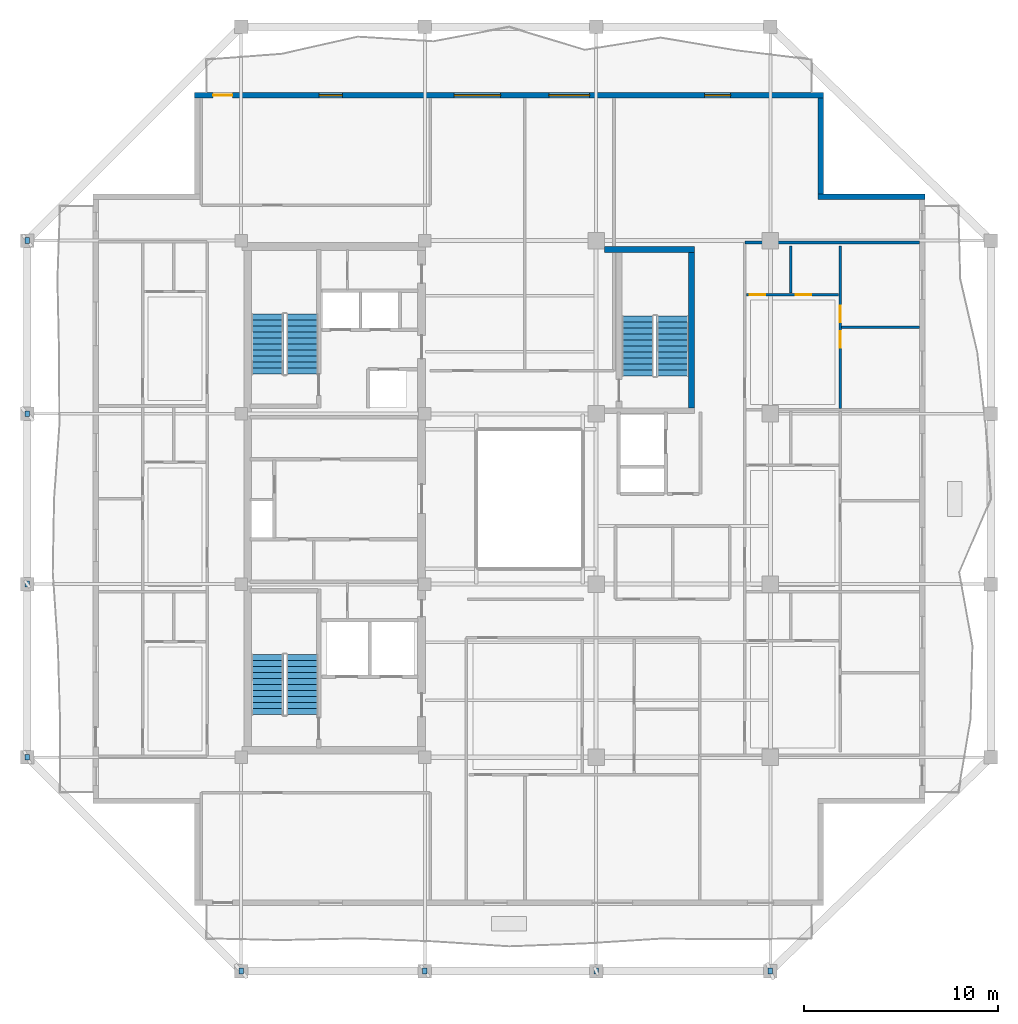
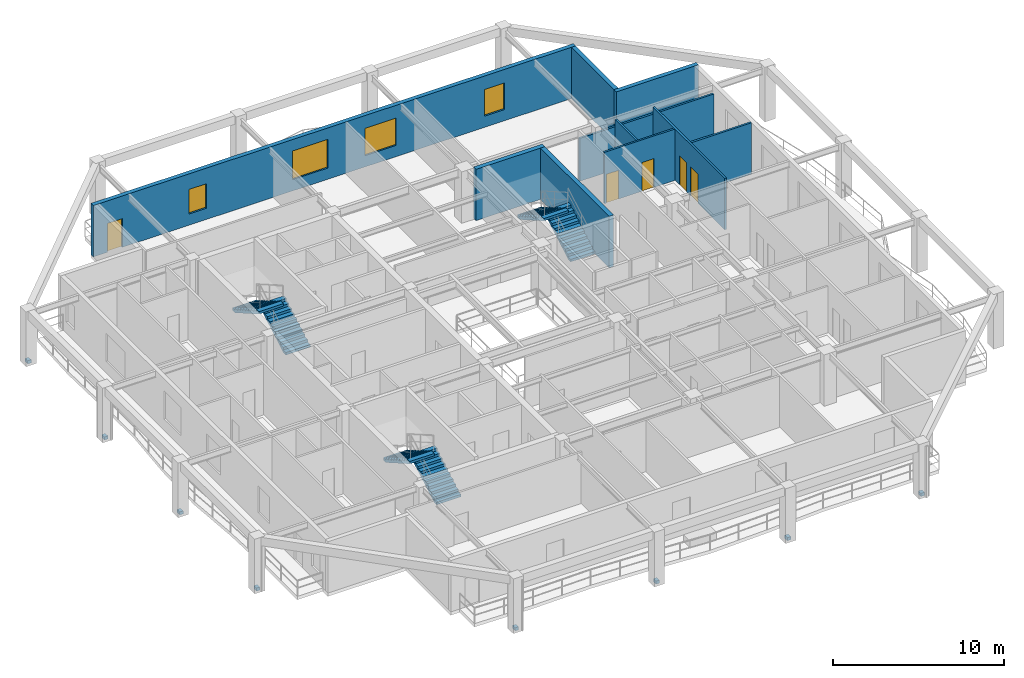
# One storey, part 7 of 13: 10 walls, 8 discrete accessories, 6 stair flights, 5 doors, 4 windows, 9 openings, 3 elements without a shape of their own.
"""IFC4 building model written with IfcOpenShell, lengths in metres."""

from ifc_helpers import new_model, si_unit, direction, frame, frame_2d, origin, origin_2d, place, context, subcontext, project, spatial, polyline, rectangle, outline, extrude, material, layer, layer_set, type_object, element, fill, aggregate, save


model = new_model("IFC4")

# Units and contexts
model_context = context("Model", 3, precision=1e-05, world=origin(), true_north=direction((0.0, 1.0)))
body_context = subcontext(model_context, "Body", "Model", "MODEL_VIEW")
ifc_project = project(units=[si_unit("LENGTHUNIT", "METRE"), si_unit("AREAUNIT", "SQUARE_METRE"), si_unit("VOLUMEUNIT", "CUBIC_METRE"), si_unit("PLANEANGLEUNIT", "RADIAN"), si_unit("MASSUNIT", "GRAM", prefix="KILO")], contexts=[model_context])

# Site, building, storey
site_placement = place(None, origin())
site = spatial("IfcSite", under=ifc_project, at=site_placement, CompositionType="ELEMENT")
building_placement = place(site_placement, origin())
building = spatial("IfcBuilding", under=site, at=building_placement, Name="Kundavana Baori Tower", CompositionType="ELEMENT")
storey_placement = place(building_placement, frame((0.0, 0.0, 229.699951171875)))
storey = spatial("IfcBuildingStorey", under=building, at=storey_placement, Name="L56", CompositionType="ELEMENT", Elevation=229.699951171875)

# Walls
ifc_material_1 = material(Name="Red-Buff Dholpur Sandstone Cladding on Concrete C40/50", Category="masonry")
ifc_layer_1 = layer(ifc_material_1, 0.280029296875, Name="WL-EXT-SAND-280")
ifc_layer_set_1 = layer_set([ifc_layer_1], Name="Red-Buff Dholpur Sandstone Cladding on Concrete C40/50")
wall_type_1 = type_object("IfcWallType", Name="WL-EXT-SAND-280", PredefinedType="STANDARD", material=ifc_layer_set_1)
wall_1_placement = place(storey_placement, frame((50.800048828125, 44.2099609375, 0.0), z_axis=(0.0, 0.0, 1.0), x_axis=(-1.0, 0.0, 0.0)))
element("IfcWall", 1, at=wall_1_placement, inside=storey, type_object=wall_type_1, Name="L56 Exterior Insulated Facade Wall 05", PredefinedType="STANDARD", context=body_context, shape_type="SweptSolid", body=[
    extrude(rectangle(XDim=5.530029296875, YDim=0.280029296875, at=frame_2d((2.76513671875, 0.0))), origin(), (0.0, 0.0, 1.0), 3.66015625),
])
wall_2_placement = place(storey_placement, frame((45.409912109375, 44.35009765625, 0.0), z_axis=(0.0, 0.0, 1.0), x_axis=(0.0, 1.0, 0.0)))
element("IfcWall", 2, at=wall_2_placement, inside=storey, type_object=wall_type_1, Name="L56 Exterior Insulated Facade Wall 06", PredefinedType="STANDARD", context=body_context, shape_type="SweptSolid", body=[
    extrude(rectangle(XDim=4.969970703125, YDim=0.280029296875, at=frame_2d((2.48486328125, 0.0))), origin(), (0.0, 0.0, 1.0), 3.66015625),
])

# Wall, openings, door, windows
wall_3_placement = place(storey_placement, frame((45.550048828125, 49.4599609375, 0.0), z_axis=(0.0, 0.0, 1.0), x_axis=(-1.0, 0.0, 0.0)))
wall_3 = element("IfcWall", 3, at=wall_3_placement, inside=storey, type_object=wall_type_1, Name="L56 Exterior Insulated Facade Wall 07", PredefinedType="STANDARD", context=body_context, shape_type="SweptSolid", body=[
    extrude(rectangle(XDim=32.5, YDim=0.280029296875, at=frame_2d((16.25, 0.0))), origin(), (0.0, 0.0, 1.0), 3.66015625),
])
opening_1_placement = place(wall_3_placement, frame((30.550048828125, 0.0, 0.0)))
opening_1 = element("IfcOpeningElement", 4, at=opening_1_placement, cuts=wall_3, Name="Opening BD-1", PredefinedType="OPENING", context=body_context, shape_type="SweptSolid", body=[
    extrude(rectangle(XDim=1.0, YDim=2.050048828125, at=frame_2d((0.5, 1.02490234375))), frame((0.0, 0.14990234375, 0.0), z_axis=(0.0, -1.0, 0.0), x_axis=(1.0, 0.0, 0.0)), (0.0, 0.0, 1.0), 0.300048828125),
])
opening_2_placement = place(wall_3_placement, frame((24.864990234375, 0.0, 0.800048828125)))
opening_2 = element("IfcOpeningElement", 5, at=opening_2_placement, cuts=wall_3, Name="Opening W-03", PredefinedType="OPENING", context=body_context, shape_type="SweptSolid", body=[
    extrude(rectangle(XDim=1.199951171875, YDim=1.75, at=frame_2d((0.60009765625, 0.875))), frame((0.0, 0.14990234375, 0.0), z_axis=(0.0, -1.0, 0.0), x_axis=(1.0, 0.0, 0.0)), (0.0, 0.0, 1.0), 0.300048828125),
])
opening_3_placement = place(wall_3_placement, frame((16.68994140625, 0.0, 0.800048828125)))
opening_3 = element("IfcOpeningElement", 6, at=opening_3_placement, cuts=wall_3, Name="Opening W-04", PredefinedType="OPENING", context=body_context, shape_type="SweptSolid", body=[
    extrude(rectangle(XDim=2.39990234375, YDim=2.050048828125, at=frame_2d((1.199951171875, 1.02490234375))), frame((0.0, 0.14990234375, 0.0), z_axis=(0.0, -1.0, 0.0), x_axis=(1.0, 0.0, 0.0)), (0.0, 0.0, 1.0), 0.300048828125),
])
opening_4_placement = place(wall_3_placement, frame((12.090087890625, 0.0, 0.800048828125)))
opening_4 = element("IfcOpeningElement", 7, at=opening_4_placement, cuts=wall_3, Name="Opening W-05", PredefinedType="OPENING", context=body_context, shape_type="SweptSolid", body=[
    extrude(rectangle(XDim=2.10009765625, YDim=1.949951171875, at=frame_2d((1.050048828125, 0.97509765625))), frame((0.0, 0.14990234375, 0.0), z_axis=(0.0, -1.0, 0.0), x_axis=(1.0, 0.0, 0.0)), (0.0, 0.0, 1.0), 0.300048828125),
])
opening_5_placement = place(wall_3_placement, frame((4.794921875, 0.0, 0.800048828125)))
opening_5 = element("IfcOpeningElement", 8, at=opening_5_placement, cuts=wall_3, Name="Opening W-07", PredefinedType="OPENING", context=body_context, shape_type="SweptSolid", body=[
    extrude(rectangle(XDim=1.35009765625, YDim=1.89990234375, at=frame_2d((0.675048828125, 0.949951171875))), frame((0.0, 0.14990234375, 0.0), z_axis=(0.0, -1.0, 0.0), x_axis=(1.0, 0.0, 0.0)), (0.0, 0.0, 1.0), 0.300048828125),
])
ifc_material_2 = material(Name="Architectural Patinated Bronze Metalwork")
door_type_1 = type_object("IfcDoorType", Name="DR-EXT-LOG-1000", OperationType="NOTDEFINED", PredefinedType="DOOR", material=ifc_material_2)
door_1_placement = place(opening_1_placement, frame((1.0, 0.0, 0.0), z_axis=(0.0, 0.0, 1.0), x_axis=(-1.0, 0.0, 0.0)))
door_1 = element("IfcDoor", 9, at=door_1_placement, inside=storey, type_object=door_type_1, Name="L56 Loggia Balcony Access Door N", OperationType="SINGLE_SWING_LEFT", OverallHeight=2.050048828125, OverallWidth=1.0, PredefinedType="DOOR", context=body_context, shape_type="SweptSolid", body=[
    extrude(rectangle(XDim=1.0, YDim=2.050048828125, at=frame_2d((0.5, 1.02490234375))), frame((0.0, 0.02490234375, 0.0), z_axis=(0.0, -1.0, 0.0), x_axis=(1.0, 0.0, 0.0)), (0.0, 0.0, 1.0), 0.050048828125),
])
fill(opening_1, door_1)
ifc_material_3 = material(Name="Double-Glazed Solar-Control Low-E Insulated Glass", Category="glass")
window_type_1 = type_object("IfcWindowType", Name="WIN-LOG-1200x1750", PartitioningType="SINGLE_PANEL", PredefinedType="WINDOW", material=ifc_material_3)
window_1_placement = place(opening_2_placement, origin())
window_1 = element("IfcWindow", 10, at=window_1_placement, inside=storey, type_object=window_type_1, Name="L56 Recessed Loggia Window N-1", OverallHeight=1.75, OverallWidth=1.199951171875, PartitioningType="SINGLE_PANEL", PredefinedType="WINDOW", context=body_context, shape_type="SweptSolid", body=[
    extrude(rectangle(XDim=1.199951171875, YDim=1.75, at=frame_2d((0.60009765625, 0.875))), frame((0.0, 0.030029296875, 0.0), z_axis=(0.0, -1.0, 0.0), x_axis=(1.0, 0.0, 0.0)), (0.0, 0.0, 1.0), 0.06005859375),
])
fill(opening_2, window_1)
ifc_material_4 = material(Name="Double-Glazed Solar-Control Low-E Insulated Glass", Category="glass")
window_type_2 = type_object("IfcWindowType", Name="WIN-LOG-1350x1900", PartitioningType="SINGLE_PANEL", PredefinedType="WINDOW", material=ifc_material_4)
window_2_placement = place(opening_5_placement, origin())
window_2 = element("IfcWindow", 11, at=window_2_placement, inside=storey, type_object=window_type_2, Name="L56 Recessed Loggia Window N-4", OverallHeight=1.89990234375, OverallWidth=1.35009765625, PartitioningType="SINGLE_PANEL", PredefinedType="WINDOW", context=body_context, shape_type="SweptSolid", body=[
    extrude(rectangle(XDim=1.35009765625, YDim=1.89990234375, at=frame_2d((0.675048828125, 0.949951171875))), frame((0.0, 0.030029296875, 0.0), z_axis=(0.0, -1.0, 0.0), x_axis=(1.0, 0.0, 0.0)), (0.0, 0.0, 1.0), 0.06005859375),
])
fill(opening_5, window_2)
ifc_material_5 = material(Name="Double-Glazed Solar-Control Low-E Insulated Glass", Category="glass")
window_type_3 = type_object("IfcWindowType", Name="WIN-LOG-2100x1950", PartitioningType="SINGLE_PANEL", PredefinedType="WINDOW", material=ifc_material_5)
window_3_placement = place(opening_4_placement, origin())
window_3 = element("IfcWindow", 12, at=window_3_placement, inside=storey, type_object=window_type_3, Name="L56 Recessed Loggia Window N-3", OverallHeight=1.949951171875, OverallWidth=2.10009765625, PartitioningType="SINGLE_PANEL", PredefinedType="WINDOW", context=body_context, shape_type="SweptSolid", body=[
    extrude(rectangle(XDim=2.10009765625, YDim=1.949951171875, at=frame_2d((1.050048828125, 0.97509765625))), frame((0.0, 0.030029296875, 0.0), z_axis=(0.0, -1.0, 0.0), x_axis=(1.0, 0.0, 0.0)), (0.0, 0.0, 1.0), 0.06005859375),
])
fill(opening_4, window_3)
ifc_material_6 = material(Name="Double-Glazed Solar-Control Low-E Insulated Glass", Category="glass")
window_type_4 = type_object("IfcWindowType", Name="WIN-LOG-2400x2050", PartitioningType="SINGLE_PANEL", PredefinedType="WINDOW", material=ifc_material_6)
window_4_placement = place(opening_3_placement, origin())
window_4 = element("IfcWindow", 13, at=window_4_placement, inside=storey, type_object=window_type_4, Name="L56 Recessed Loggia Window N-2", OverallHeight=2.050048828125, OverallWidth=2.39990234375, PartitioningType="SINGLE_PANEL", PredefinedType="WINDOW", context=body_context, shape_type="SweptSolid", body=[
    extrude(rectangle(XDim=2.39990234375, YDim=2.050048828125, at=frame_2d((1.199951171875, 1.02490234375))), frame((0.0, 0.030029296875, 0.0), z_axis=(0.0, -1.0, 0.0), x_axis=(1.0, 0.0, 0.0)), (0.0, 0.0, 1.0), 0.06005859375),
])
fill(opening_3, window_4)

# Wall
ifc_material_7 = material(Name="Acoustic Gypsum Plasterboard on Galvanised Steel Studs", Category="steel")
ifc_layer_2 = layer(ifc_material_7, 0.135009765625, Name="WL-PART-135")
ifc_layer_set_2 = layer_set([ifc_layer_2], Name="Acoustic Gypsum Plasterboard on Galvanised Steel Studs")
wall_type_2 = type_object("IfcWallType", Name="WL-PART-135", PredefinedType="PARTITIONING", material=ifc_layer_set_2)
wall_4_placement = place(storey_placement, frame((41.47998046875, 41.85009765625, 0.0), z_axis=(0.0, 0.0, 1.0), x_axis=(1.0, 0.0, 0.0)))
element("IfcWall", 14, at=wall_4_placement, inside=storey, type_object=wall_type_2, Name="WL-L56-REN", PredefinedType="PARTITIONING", context=body_context, shape_type="SweptSolid", body=[
    extrude(rectangle(XDim=9.0400390625, YDim=0.135009765625, at=frame_2d((4.52001953125, 0.0))), origin(), (0.0, 0.0, 1.0), 3.06005859375),
])

# Wall, openings, doors
wall_5_placement = place(storey_placement, frame((46.407958984375, 33.280029296875, 0.0), z_axis=(0.0, 0.0, 1.0), x_axis=(0.0, 1.0, 0.0)))
wall_5 = element("IfcWall", 15, at=wall_5_placement, inside=storey, type_object=wall_type_2, Name="WL-L56-E3-VT", PredefinedType="PARTITIONING", context=body_context, shape_type="SweptSolid", body=[
    extrude(rectangle(XDim=8.389892578125, YDim=0.135009765625, at=frame_2d((4.19482421875, 0.0))), origin(), (0.0, 0.0, 1.0), 3.66015625),
])
opening_6_placement = place(wall_5_placement, frame((3.14501953125, 0.0, 0.0)))
opening_6 = element("IfcOpeningElement", 16, at=opening_6_placement, cuts=wall_5, Name="Opening ID-085", PredefinedType="OPENING", context=body_context, shape_type="SweptSolid", body=[
    extrude(rectangle(XDim=0.85009765625, YDim=2.080078125, at=frame_2d((0.425048828125, 1.0400390625))), frame((0.0, 0.07763671875, 0.0), z_axis=(0.0, -1.0, 0.0), x_axis=(1.0, 0.0, 0.0)), (0.0, 0.0, 1.0), 0.155029296875),
])
opening_7_placement = place(wall_5_placement, frame((4.445068359375, 0.0, 0.0)))
opening_7 = element("IfcOpeningElement", 17, at=opening_7_placement, cuts=wall_5, Name="Opening ID-085", PredefinedType="OPENING", context=body_context, shape_type="SweptSolid", body=[
    extrude(rectangle(XDim=0.85009765625, YDim=2.080078125, at=frame_2d((0.425048828125, 1.0400390625))), frame((0.0, 0.07763671875, 0.0), z_axis=(0.0, -1.0, 0.0), x_axis=(1.0, 0.0, 0.0)), (0.0, 0.0, 1.0), 0.155029296875),
])
ifc_material_8 = material(Name="Engineered Teak Solid-Core Timber Veneer", Category="wood")
door_type_2 = type_object("IfcDoorType", Name="DR-INT-850", OperationType="NOTDEFINED", PredefinedType="DOOR", material=ifc_material_8)
door_2_placement = place(opening_6_placement, origin())
door_2 = element("IfcDoor", 18, at=door_2_placement, inside=storey, type_object=door_type_2, Name="DR-L56-E3-B1", OperationType="SINGLE_SWING_LEFT", OverallHeight=2.080078125, OverallWidth=0.85009765625, PredefinedType="DOOR", context=body_context, shape_type="SweptSolid", body=[
    extrude(rectangle(XDim=0.85009765625, YDim=2.080078125, at=frame_2d((0.425048828125, 1.0400390625))), frame((0.0, 0.02490234375, 0.0), z_axis=(0.0, -1.0, 0.0), x_axis=(1.0, 0.0, 0.0)), (0.0, 0.0, 1.0), 0.050048828125),
])
fill(opening_6, door_2)
door_3_placement = place(opening_7_placement, origin())
door_3 = element("IfcDoor", 19, at=door_3_placement, inside=storey, type_object=door_type_2, Name="DR-L56-E3-B2", OperationType="SINGLE_SWING_RIGHT", OverallHeight=2.080078125, OverallWidth=0.85009765625, PredefinedType="DOOR", context=body_context, shape_type="SweptSolid", body=[
    extrude(rectangle(XDim=0.85009765625, YDim=2.080078125, at=frame_2d((0.425048828125, 1.0400390625))), frame((0.0, 0.02490234375, 0.0), z_axis=(0.0, -1.0, 0.0), x_axis=(1.0, 0.0, 0.0)), (0.0, 0.0, 1.0), 0.050048828125),
])
fill(opening_7, door_3)

# Walls
wall_6_placement = place(storey_placement, frame((46.488037109375, 37.47509765625, 0.0), z_axis=(0.0, 0.0, 1.0), x_axis=(1.0, 0.0, 0.0)))
element("IfcWall", 20, at=wall_6_placement, inside=storey, type_object=wall_type_2, Name="WL-L56-E3-BDH", PredefinedType="PARTITIONING", context=body_context, shape_type="SweptSolid", body=[
    extrude(rectangle(XDim=4.031982421875, YDim=0.135009765625, at=frame_2d((2.01611328125, 0.0))), origin(), (0.0, 0.0, 1.0), 3.66015625),
])
ifc_material_9 = material(Name="Concrete C50/60", Category="concrete")
ifc_layer_3 = layer(ifc_material_9, 0.300048828125, Name="WL-ST3-300")
ifc_layer_set_3 = layer_set([ifc_layer_3], Name="Concrete C50/60")
wall_type_3 = type_object("IfcWallType", Name="WL-ST3-300", PredefinedType="SHEAR", material=ifc_layer_set_3)
wall_7_placement = place(storey_placement, frame((34.22509765625, 41.489990234375, 0.0), z_axis=(0.0, 0.0, 1.0), x_axis=(1.0, 0.0, 0.0)))
element("IfcWall", 21, at=wall_7_placement, inside=storey, type_object=wall_type_3, Name="L56 Stair ST3 North Shear Wall", PredefinedType="SHEAR", context=body_context, shape_type="SweptSolid", body=[
    extrude(rectangle(XDim=4.64501953125, YDim=0.300048828125, at=frame_2d((2.322509765625, 0.0))), origin(), (0.0, 0.0, 1.0), 3.66015625),
])
wall_8_placement = place(storey_placement, frame((38.719970703125, 33.31005859375, 0.0), z_axis=(0.0, 0.0, 1.0), x_axis=(0.0, 1.0, 0.0)))
element("IfcWall", 22, at=wall_8_placement, inside=storey, type_object=wall_type_3, Name="L56 Stair ST3 East Shear Wall", PredefinedType="SHEAR", context=body_context, shape_type="SweptSolid", body=[
    extrude(rectangle(XDim=8.030029296875, YDim=0.300048828125, at=frame_2d((4.01513671875, 0.0))), origin(), (0.0, 0.0, 1.0), 3.66015625),
])

# Wall, openings, doors
ifc_material_10 = material(Name="Autoclaved Aerated Concrete Blockwork Masonry", Category="masonry")
ifc_layer_4 = layer(ifc_material_10, 0.125, Name="WL-WET-120")
ifc_layer_set_4 = layer_set([ifc_layer_4], Name="Autoclaved Aerated Concrete Blockwork Masonry")
wall_type_4 = type_object("IfcWallType", Name="WL-WET-120", PredefinedType="PLUMBINGWALL", material=ifc_layer_set_4)
wall_9_placement = place(storey_placement, frame((41.580078125, 39.153076171875, 0.0), z_axis=(0.0, 0.0, 1.0), x_axis=(1.0, 0.0, 0.0)))
wall_9 = element("IfcWall", 23, at=wall_9_placement, inside=storey, type_object=wall_type_4, Name="WL-L56-E3-KH", PredefinedType="PLUMBINGWALL", context=body_context, shape_type="SweptSolid", body=[
    extrude(rectangle(XDim=4.747802734375, YDim=0.125, at=frame_2d((2.3740234375, 0.0))), origin(), (0.0, 0.0, 1.0), 3.66015625),
])
opening_8_placement = place(wall_9_placement, frame((0.159912109375, 0.0, 0.0)))
opening_8 = element("IfcOpeningElement", 24, at=opening_8_placement, cuts=wall_9, Name="Opening WD-080", PredefinedType="OPENING", context=body_context, shape_type="SweptSolid", body=[
    extrude(rectangle(XDim=0.800048828125, YDim=2.050048828125, at=frame_2d((0.39990234375, 1.02490234375))), frame((0.0, 0.072509765625, 0.0), z_axis=(0.0, -1.0, 0.0), x_axis=(1.0, 0.0, 0.0)), (0.0, 0.0, 1.0), 0.14501953125),
])
opening_9_placement = place(wall_9_placement, frame((2.5390625, 0.0, 0.0)))
opening_9 = element("IfcOpeningElement", 25, at=opening_9_placement, cuts=wall_9, Name="Opening WD-080", PredefinedType="OPENING", context=body_context, shape_type="SweptSolid", body=[
    extrude(rectangle(XDim=0.800048828125, YDim=2.050048828125, at=frame_2d((0.39990234375, 1.02490234375))), frame((0.0, 0.072509765625, 0.0), z_axis=(0.0, -1.0, 0.0), x_axis=(1.0, 0.0, 0.0)), (0.0, 0.0, 1.0), 0.14501953125),
])
ifc_material_11 = material(Name="Engineered Teak Solid-Core Timber Veneer", Category="wood")
door_type_3 = type_object("IfcDoorType", Name="DR-WET-800", OperationType="NOTDEFINED", PredefinedType="DOOR", material=ifc_material_11)
door_4_placement = place(opening_8_placement, origin())
door_4 = element("IfcDoor", 26, at=door_4_placement, inside=storey, type_object=door_type_3, Name="DR-L56-E3-BT", OperationType="SINGLE_SWING_LEFT", OverallHeight=2.050048828125, OverallWidth=0.800048828125, PredefinedType="DOOR", context=body_context, shape_type="SweptSolid", body=[
    extrude(rectangle(XDim=0.800048828125, YDim=2.050048828125, at=frame_2d((0.39990234375, 1.02490234375))), frame((0.0, 0.02490234375, 0.0), z_axis=(0.0, -1.0, 0.0), x_axis=(1.0, 0.0, 0.0)), (0.0, 0.0, 1.0), 0.050048828125),
])
fill(opening_8, door_4)
door_5_placement = place(opening_9_placement, origin())
door_5 = element("IfcDoor", 27, at=door_5_placement, inside=storey, type_object=door_type_3, Name="DR-L56-E3-KT", OperationType="SINGLE_SWING_RIGHT", OverallHeight=2.050048828125, OverallWidth=0.800048828125, PredefinedType="DOOR", context=body_context, shape_type="SweptSolid", body=[
    extrude(rectangle(XDim=0.800048828125, YDim=2.050048828125, at=frame_2d((0.39990234375, 1.02490234375))), frame((0.0, 0.02490234375, 0.0), z_axis=(0.0, -1.0, 0.0), x_axis=(1.0, 0.0, 0.0)), (0.0, 0.0, 1.0), 0.050048828125),
])
fill(opening_9, door_5)

# Wall
wall_10_placement = place(storey_placement, frame((43.85888671875, 39.23291015625, 0.0), z_axis=(0.0, 0.0, 1.0), x_axis=(0.0, 1.0, 0.0)))
element("IfcWall", 28, at=wall_10_placement, inside=storey, type_object=wall_type_4, Name="WL-L56-E3-BV", PredefinedType="PLUMBINGWALL", context=body_context, shape_type="SweptSolid", body=[
    extrude(rectangle(XDim=2.43701171875, YDim=0.125, at=frame_2d((1.218505859375, 0.0))), origin(), (0.0, 0.0, 1.0), 3.66015625),
])

# Stair, stair flights
ifc_material_12 = material(Name="Concrete C40/50", Category="concrete")
stair_type = type_object("IfcStairType", Name="STR-DOG-1650", PredefinedType="HALF_TURN_STAIR", material=ifc_material_12)
stair_1_placement = place(storey_placement, origin())
stair_1 = element("IfcStair", 29, at=stair_1_placement, inside=storey, type_object=stair_type, Name="L56 Protected Exit Stair ST1", PredefinedType="HALF_TURN_STAIR")
ifc_material_13 = material(Name="Concrete C40/50", Category="concrete")
stair_flight_type = type_object("IfcStairFlightType", Name="SFL-RC-1650", PredefinedType="STRAIGHT", material=ifc_material_13)
stair_flight_1_placement = place(storey_placement, frame((18.614990234375, 17.449951171875, 0.0), z_axis=(0.0, 0.0, 1.0), x_axis=(0.0, 1.0, 0.0)))
stair_flight_1 = element("IfcStairFlight", 30, at=stair_flight_1_placement, type_object=stair_flight_type, Name="ST1 flight 1", NumberOfRisers=11, NumberOfTreads=10, PredefinedType="STRAIGHT", RiserHeight=0.177272727, TreadLength=0.31, context=body_context, shape_type="SweptSolid", body=[
    extrude(outline(polyline([(0.0, 0.0), (0.0, 0.17724609375), (0.31005859375, 0.17724609375), (0.31005859375, 0.3544921875), (0.6201171875, 0.3544921875), (0.6201171875, 0.53173828125), (0.929931640625, 0.53173828125), (0.929931640625, 0.708984375), (1.239990234375, 0.708984375), (1.239990234375, 0.886474609375), (1.550048828125, 0.886474609375), (1.550048828125, 1.063720703125), (1.860107421875, 1.063720703125), (1.860107421875, 1.240966796875), (2.169921875, 1.240966796875), (2.169921875, 1.418212890625), (2.47998046875, 1.418212890625), (2.47998046875, 1.595458984375), (2.7900390625, 1.595458984375), (2.7900390625, 1.772705078125), (3.10009765625, 1.772705078125), (3.10009765625, 1.949951171875), (3.10009765625, 1.60009765625), (0.302001953125, 0.0), (0.0, 0.0)])), frame((0.0, 0.824951171875, 0.0), z_axis=(0.0, -1.0, 0.0), x_axis=(1.0, 0.0, 0.0)), (0.0, 0.0, 1.0), 1.64990234375),
])
stair_flight_2_placement = place(storey_placement, frame((16.804931640625, 20.550048828125, 1.949951171875), z_axis=(0.0, 0.0, 1.0), x_axis=(0.0, -1.0, 0.0)))
stair_flight_2 = element("IfcStairFlight", 31, at=stair_flight_2_placement, type_object=stair_flight_type, Name="ST1 flight 2", NumberOfRisers=11, NumberOfTreads=10, PredefinedType="STRAIGHT", RiserHeight=0.177272727, TreadLength=0.31, context=body_context, shape_type="SweptSolid", body=[
    extrude(outline(polyline([(0.0, 0.0), (0.0, 0.17724609375), (0.31005859375, 0.17724609375), (0.31005859375, 0.3544921875), (0.6201171875, 0.3544921875), (0.6201171875, 0.53173828125), (0.929931640625, 0.53173828125), (0.929931640625, 0.708984375), (1.239990234375, 0.708984375), (1.239990234375, 0.886474609375), (1.550048828125, 0.886474609375), (1.550048828125, 1.063720703125), (1.860107421875, 1.063720703125), (1.860107421875, 1.240966796875), (2.169921875, 1.240966796875), (2.169921875, 1.418212890625), (2.47998046875, 1.418212890625), (2.47998046875, 1.595458984375), (2.7900390625, 1.595458984375), (2.7900390625, 1.772705078125), (3.10009765625, 1.772705078125), (3.10009765625, 1.949951171875), (3.10009765625, 1.60009765625), (0.302001953125, 0.0), (0.0, 0.0)])), frame((0.0, 0.824951171875, 0.0), z_axis=(0.0, -1.0, 0.0), x_axis=(1.0, 0.0, 0.0)), (0.0, 0.0, 1.0), 1.64990234375),
])
aggregate(stair_1, [stair_flight_1, stair_flight_2])

stair_2_placement = place(storey_placement, origin())
stair_2 = element("IfcStair", 32, at=stair_2_placement, inside=storey, type_object=stair_type, Name="L56 Protected Exit Stair ST2", PredefinedType="HALF_TURN_STAIR")
stair_flight_3_placement = place(storey_placement, frame((18.614990234375, 35.050048828125, 0.0), z_axis=(0.0, 0.0, 1.0), x_axis=(0.0, 1.0, 0.0)))
stair_flight_3 = element("IfcStairFlight", 33, at=stair_flight_3_placement, type_object=stair_flight_type, Name="ST2 flight 1", NumberOfRisers=11, NumberOfTreads=10, PredefinedType="STRAIGHT", RiserHeight=0.177272727, TreadLength=0.31, context=body_context, shape_type="SweptSolid", body=[
    extrude(outline(polyline([(0.0, 0.0), (0.0, 0.17724609375), (0.31005859375, 0.17724609375), (0.31005859375, 0.3544921875), (0.6201171875, 0.3544921875), (0.6201171875, 0.53173828125), (0.929931640625, 0.53173828125), (0.929931640625, 0.708984375), (1.239990234375, 0.708984375), (1.239990234375, 0.886474609375), (1.550048828125, 0.886474609375), (1.550048828125, 1.063720703125), (1.860107421875, 1.063720703125), (1.860107421875, 1.240966796875), (2.169921875, 1.240966796875), (2.169921875, 1.418212890625), (2.47998046875, 1.418212890625), (2.47998046875, 1.595458984375), (2.7900390625, 1.595458984375), (2.7900390625, 1.772705078125), (3.10009765625, 1.772705078125), (3.10009765625, 1.949951171875), (3.10009765625, 1.60009765625), (0.302001953125, 0.0), (0.0, 0.0)])), frame((0.0, 0.824951171875, 0.0), z_axis=(0.0, -1.0, 0.0), x_axis=(1.0, 0.0, 0.0)), (0.0, 0.0, 1.0), 1.64990234375),
])
stair_flight_4_placement = place(storey_placement, frame((16.804931640625, 38.14990234375, 1.949951171875), z_axis=(0.0, 0.0, 1.0), x_axis=(0.0, -1.0, 0.0)))
stair_flight_4 = element("IfcStairFlight", 34, at=stair_flight_4_placement, type_object=stair_flight_type, Name="ST2 flight 2", NumberOfRisers=11, NumberOfTreads=10, PredefinedType="STRAIGHT", RiserHeight=0.177272727, TreadLength=0.31, context=body_context, shape_type="SweptSolid", body=[
    extrude(outline(polyline([(0.0, 0.0), (0.0, 0.17724609375), (0.31005859375, 0.17724609375), (0.31005859375, 0.3544921875), (0.6201171875, 0.3544921875), (0.6201171875, 0.53173828125), (0.929931640625, 0.53173828125), (0.929931640625, 0.708984375), (1.239990234375, 0.708984375), (1.239990234375, 0.886474609375), (1.550048828125, 0.886474609375), (1.550048828125, 1.063720703125), (1.860107421875, 1.063720703125), (1.860107421875, 1.240966796875), (2.169921875, 1.240966796875), (2.169921875, 1.418212890625), (2.47998046875, 1.418212890625), (2.47998046875, 1.595458984375), (2.7900390625, 1.595458984375), (2.7900390625, 1.772705078125), (3.10009765625, 1.772705078125), (3.10009765625, 1.949951171875), (3.10009765625, 1.60009765625), (0.302001953125, 0.0), (0.0, 0.0)])), frame((0.0, 0.824951171875, 0.0), z_axis=(0.0, -1.0, 0.0), x_axis=(1.0, 0.0, 0.0)), (0.0, 0.0, 1.0), 1.64990234375),
])
aggregate(stair_2, [stair_flight_3, stair_flight_4])

stair_3_placement = place(storey_placement, origin())
stair_3 = element("IfcStair", 35, at=stair_3_placement, inside=storey, type_object=stair_type, Name="L56 Protected Exit Stair ST3", PredefinedType="HALF_TURN_STAIR")
stair_flight_5_placement = place(storey_placement, frame((37.7548828125, 34.949951171875, 0.0), z_axis=(0.0, 0.0, 1.0), x_axis=(0.0, 1.0, 0.0)))
stair_flight_5 = element("IfcStairFlight", 36, at=stair_flight_5_placement, type_object=stair_flight_type, Name="ST3 flight 1", NumberOfRisers=11, NumberOfTreads=10, PredefinedType="STRAIGHT", RiserHeight=0.177272727, TreadLength=0.31, context=body_context, shape_type="SweptSolid", body=[
    extrude(outline(polyline([(0.0, 0.0), (0.0, 0.17724609375), (0.31005859375, 0.17724609375), (0.31005859375, 0.3544921875), (0.6201171875, 0.3544921875), (0.6201171875, 0.53173828125), (0.929931640625, 0.53173828125), (0.929931640625, 0.708984375), (1.239990234375, 0.708984375), (1.239990234375, 0.886474609375), (1.550048828125, 0.886474609375), (1.550048828125, 1.063720703125), (1.860107421875, 1.063720703125), (1.860107421875, 1.240966796875), (2.169921875, 1.240966796875), (2.169921875, 1.418212890625), (2.47998046875, 1.418212890625), (2.47998046875, 1.595458984375), (2.7900390625, 1.595458984375), (2.7900390625, 1.772705078125), (3.10009765625, 1.772705078125), (3.10009765625, 1.949951171875), (3.10009765625, 1.60009765625), (0.302001953125, 0.0), (0.0, 0.0)])), frame((0.0, 0.824951171875, 0.0), z_axis=(0.0, -1.0, 0.0), x_axis=(1.0, 0.0, 0.0)), (0.0, 0.0, 1.0), 1.64990234375),
])
stair_flight_6_placement = place(storey_placement, frame((35.945068359375, 38.050048828125, 1.949951171875), z_axis=(0.0, 0.0, 1.0), x_axis=(0.0, -1.0, 0.0)))
stair_flight_6 = element("IfcStairFlight", 37, at=stair_flight_6_placement, type_object=stair_flight_type, Name="ST3 flight 2", NumberOfRisers=11, NumberOfTreads=10, PredefinedType="STRAIGHT", RiserHeight=0.177272727, TreadLength=0.31, context=body_context, shape_type="SweptSolid", body=[
    extrude(outline(polyline([(0.0, 0.0), (0.0, 0.17724609375), (0.31005859375, 0.17724609375), (0.31005859375, 0.3544921875), (0.6201171875, 0.3544921875), (0.6201171875, 0.53173828125), (0.929931640625, 0.53173828125), (0.929931640625, 0.708984375), (1.239990234375, 0.708984375), (1.239990234375, 0.886474609375), (1.550048828125, 0.886474609375), (1.550048828125, 1.063720703125), (1.860107421875, 1.063720703125), (1.860107421875, 1.240966796875), (2.169921875, 1.240966796875), (2.169921875, 1.418212890625), (2.47998046875, 1.418212890625), (2.47998046875, 1.595458984375), (2.7900390625, 1.595458984375), (2.7900390625, 1.772705078125), (3.10009765625, 1.772705078125), (3.10009765625, 1.949951171875), (3.10009765625, 1.60009765625), (0.302001953125, 0.0), (0.0, 0.0)])), frame((0.0, 0.824951171875, 0.0), z_axis=(0.0, -1.0, 0.0), x_axis=(1.0, 0.0, 0.0)), (0.0, 0.0, 1.0), 1.64990234375),
])
aggregate(stair_3, [stair_flight_5, stair_flight_6])

# Discrete accessories
ifc_material_14 = material(Name="Structural Steel S355JR", Category="steel")
discrete_accessory_type = type_object("IfcDiscreteAccessoryType", Name="ACC-BRK-FIN", PredefinedType="BRACKET", material=ifc_material_14)
for number, where, z_axis, x_axis, name in (
    (38, (15.449951171875, 4.199951171875, 0.0), (0.0, 0.0, 1.0), (1.0, 0.0, 0.0), "L56 Stainless Fin Anchor Bracket 1"),
    (39, (24.949951171875, 4.199951171875, 0.0), (0.0, 0.0, 1.0), (1.0, 0.0, 0.0), "L56 Stainless Fin Anchor Bracket 2"),
    (40, (33.800048828125, 4.199951171875, 0.0), (0.0, 0.0, 1.0), (1.0, 0.0, 0.0), "L56 Stainless Fin Anchor Bracket 3"),
    (41, (42.800048828125, 4.199951171875, 0.0), (0.0, 0.0, 1.0), (1.0, 0.0, 0.0), "L56 Stainless Fin Anchor Bracket 4"),
    (42, (4.39990234375, 15.25, 0.0), (0.0, 0.0, 1.0), (1.0, 0.0, 0.0), "L56 Stainless Fin Anchor Bracket 5"),
    (43, (4.39990234375, 24.199951171875, 0.0), (0.0, 0.0, 1.0), (1.0, 0.0, 0.0), "L56 Stainless Fin Anchor Bracket 6"),
    (44, (4.39990234375, 33.0, 0.0), (0.0, 0.0, 1.0), (1.0, 0.0, 0.0), "L56 Stainless Fin Anchor Bracket 7"),
    (45, (4.39990234375, 41.949951171875, 0.0), (0.0, 0.0, 1.0), (1.0, 0.0, 0.0), "L56 Stainless Fin Anchor Bracket 8"),
):
    element("IfcDiscreteAccessory", number, at=place(storey_placement, frame(where, z_axis=z_axis, x_axis=x_axis)), inside=storey, type_object=discrete_accessory_type, Name=name, PredefinedType="BRACKET", context=body_context, shape_type="SweptSolid", body=[
        extrude(rectangle(XDim=0.239990234375, YDim=0.300048828125, at=origin_2d()), origin(), (0.0, 0.0, 1.0), 0.219970703125),
    ])

save(model, "model.ifc")
